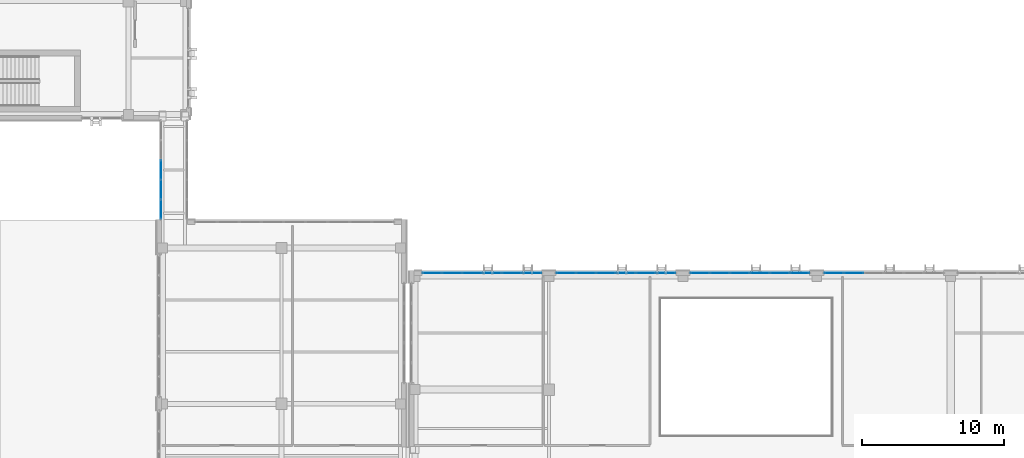
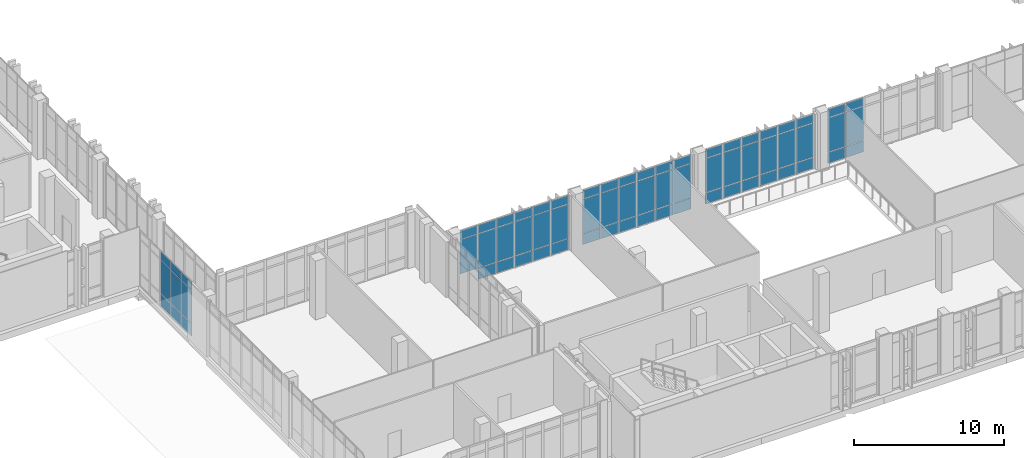
# One storey, part 131 of 189: 68 plates, 5 elements without a shape of their own.
"""IFC4 building model written with IfcOpenShell, lengths in metres."""

from ifc_helpers import new_model, si_unit, direction, frame, origin, origin_2d, place, context, subcontext, project, spatial, rectangle, extrude, material, layer, layer_set, type_object, element, aggregate, save


model = new_model("IFC4")

# Units and contexts
model_context = context("Model", 3, precision=1e-05, world=origin(), true_north=direction((0.0, 1.0)))
body_context = subcontext(model_context, "Body", "Model", "MODEL_VIEW")
ifc_project = project(units=[si_unit("LENGTHUNIT", "METRE"), si_unit("AREAUNIT", "SQUARE_METRE"), si_unit("VOLUMEUNIT", "CUBIC_METRE"), si_unit("PLANEANGLEUNIT", "RADIAN"), si_unit("MASSUNIT", "GRAM", prefix="KILO")], contexts=[model_context])

# Site, building, storey
site_placement = place(None, origin())
site = spatial("IfcSite", under=ifc_project, at=site_placement, CompositionType="ELEMENT")
building_placement = place(site_placement, origin())
building = spatial("IfcBuilding", under=site, at=building_placement, Name="Qalavern Law Courts", CompositionType="ELEMENT")
storey_placement = place(building_placement, frame((0.0, 0.0, 5.39990234375)))
storey = spatial("IfcBuildingStorey", under=building, at=storey_placement, Name="L01", CompositionType="ELEMENT", Elevation=5.39990234375)

# Curtain wall, plates
ifc_material_1 = material(Name="Anodised aluminium and insulated glazing", Category="aluminium")
ifc_layer_1 = layer(ifc_material_1, 0.18505859375)
ifc_layer_set_1 = layer_set([ifc_layer_1], Name="Anodised aluminium and insulated glazing")
curtain_wall_type_1 = type_object("IfcCurtainWallType", Name="ENV-CW-HALL", PredefinedType="USERDEFINED", material=ifc_layer_set_1)
curtain_wall_1_placement = place(storey_placement, origin())
curtain_wall_1 = element("IfcCurtainWall", 1, at=curtain_wall_1_placement, inside=storey, type_object=curtain_wall_type_1, Name="V2 unitised curtain wall L01 north 3", ObjectType="UNITISED CURTAIN WALL", PredefinedType="USERDEFINED")
ifc_material_2 = material(Name="Insulated low-E acoustic glazing", Category="glass")
ifc_layer_2 = layer(ifc_material_2, 0.02392578125)
ifc_layer_set_2 = layer_set([ifc_layer_2], Name="Insulated low-E acoustic glazing")
plate_type_1 = type_object("IfcPlateType", Name="ENV-CWP-24", PredefinedType="CURTAIN_PANEL", material=ifc_layer_set_2)
plate_1_placement = place(storey_placement, frame((65.596435546875, 30.237548828125, 0.048095703125), z_axis=(0.0, 0.0, 1.0), x_axis=(-1.0, 0.0, 0.0)))
plate_1 = element("IfcPlate", 2, at=plate_1_placement, type_object=plate_type_1, Name="CW-02 panel 5.1", PredefinedType="CURTAIN_PANEL", context=body_context, shape_type="SweptSolid", body=[
    extrude(rectangle(XDim=1.361083984375, YDim=0.02392578125, at=origin_2d()), origin(), (0.0, 0.0, 1.0), 0.8779296875),
])
plate_2_placement = place(storey_placement, frame((65.596435546875, 30.237548828125, 0.97412109375), z_axis=(0.0, 0.0, 1.0), x_axis=(-1.0, 0.0, 0.0)))
plate_2 = element("IfcPlate", 3, at=plate_2_placement, type_object=plate_type_1, Name="CW-02 panel 5.2", PredefinedType="CURTAIN_PANEL", context=body_context, shape_type="SweptSolid", body=[
    extrude(rectangle(XDim=1.361083984375, YDim=0.02392578125, at=origin_2d()), origin(), (0.0, 0.0, 1.0), 2.761962890625),
])
plate_3_placement = place(storey_placement, frame((65.596435546875, 30.237548828125, 3.7841796875), z_axis=(0.0, 0.0, 1.0), x_axis=(-1.0, 0.0, 0.0)))
plate_3 = element("IfcPlate", 4, at=plate_3_placement, type_object=plate_type_1, Name="CW-02 panel 5.3", PredefinedType="CURTAIN_PANEL", context=body_context, shape_type="SweptSolid", body=[
    extrude(rectangle(XDim=1.361083984375, YDim=0.02392578125, at=origin_2d()), origin(), (0.0, 0.0, 1.0), 0.677978515625),
])
plate_4_placement = place(storey_placement, frame((64.199462890625, 30.237548828125, 0.048095703125), z_axis=(0.0, 0.0, 1.0), x_axis=(-1.0, 0.0, 0.0)))
plate_4 = element("IfcPlate", 5, at=plate_4_placement, type_object=plate_type_1, Name="CW-02 panel 6.1", PredefinedType="CURTAIN_PANEL", context=body_context, shape_type="SweptSolid", body=[
    extrude(rectangle(XDim=1.3369140625, YDim=0.02392578125, at=origin_2d()), origin(), (0.0, 0.0, 1.0), 0.8779296875),
])
plate_5_placement = place(storey_placement, frame((64.199462890625, 30.237548828125, 0.97412109375), z_axis=(0.0, 0.0, 1.0), x_axis=(-1.0, 0.0, 0.0)))
plate_5 = element("IfcPlate", 6, at=plate_5_placement, type_object=plate_type_1, Name="CW-02 panel 6.2", PredefinedType="CURTAIN_PANEL", context=body_context, shape_type="SweptSolid", body=[
    extrude(rectangle(XDim=1.3369140625, YDim=0.02392578125, at=origin_2d()), origin(), (0.0, 0.0, 1.0), 2.761962890625),
])
plate_6_placement = place(storey_placement, frame((64.199462890625, 30.237548828125, 3.7841796875), z_axis=(0.0, 0.0, 1.0), x_axis=(-1.0, 0.0, 0.0)))
plate_6 = element("IfcPlate", 7, at=plate_6_placement, type_object=plate_type_1, Name="CW-02 panel 6.3", PredefinedType="CURTAIN_PANEL", context=body_context, shape_type="SweptSolid", body=[
    extrude(rectangle(XDim=1.3369140625, YDim=0.02392578125, at=origin_2d()), origin(), (0.0, 0.0, 1.0), 0.677978515625),
])
aggregate(curtain_wall_1, [plate_1, plate_2, plate_3, plate_4, plate_5, plate_6])

curtain_wall_2_placement = place(storey_placement, origin())
curtain_wall_2 = element("IfcCurtainWall", 8, at=curtain_wall_2_placement, inside=storey, type_object=curtain_wall_type_1, Name="V2 unitised curtain wall L01 north 4", ObjectType="UNITISED CURTAIN WALL", PredefinedType="USERDEFINED")
ifc_layer_3 = layer(ifc_material_2, 0.028076171875)
ifc_layer_set_3 = layer_set([ifc_layer_3], Name="Insulated low-E acoustic glazing")
plate_type_2 = type_object("IfcPlateType", Name="ENV-CWP-28", PredefinedType="CURTAIN_PANEL", material=ifc_layer_set_3)
plate_7_placement = place(storey_placement, frame((61.766357421875, 30.237548828125, 0.048095703125), z_axis=(0.0, 0.0, 1.0), x_axis=(-1.0, 0.0, 0.0)))
plate_7 = element("IfcPlate", 9, at=plate_7_placement, type_object=plate_type_2, Name="CW-02 panel 1.1", PredefinedType="CURTAIN_PANEL", context=body_context, shape_type="SweptSolid", body=[
    extrude(rectangle(XDim=1.337158203125, YDim=0.028076171875, at=origin_2d()), origin(), (0.0, 0.0, 1.0), 0.8779296875),
])
plate_8_placement = place(storey_placement, frame((61.766357421875, 30.237548828125, 0.97412109375), z_axis=(0.0, 0.0, 1.0), x_axis=(-1.0, 0.0, 0.0)))
plate_8 = element("IfcPlate", 10, at=plate_8_placement, type_object=plate_type_2, Name="CW-02 panel 1.2", PredefinedType="CURTAIN_PANEL", context=body_context, shape_type="SweptSolid", body=[
    extrude(rectangle(XDim=1.337158203125, YDim=0.028076171875, at=origin_2d()), origin(), (0.0, 0.0, 1.0), 2.761962890625),
])
plate_9_placement = place(storey_placement, frame((61.766357421875, 30.237548828125, 3.7841796875), z_axis=(0.0, 0.0, 1.0), x_axis=(-1.0, 0.0, 0.0)))
plate_9 = element("IfcPlate", 11, at=plate_9_placement, type_object=plate_type_2, Name="CW-02 panel 1.3", PredefinedType="CURTAIN_PANEL", context=body_context, shape_type="SweptSolid", body=[
    extrude(rectangle(XDim=1.337158203125, YDim=0.028076171875, at=origin_2d()), origin(), (0.0, 0.0, 1.0), 0.677978515625),
])
plate_10_placement = place(storey_placement, frame((60.369384765625, 30.237548828125, 0.048095703125), z_axis=(0.0, 0.0, 1.0), x_axis=(-1.0, 0.0, 0.0)))
plate_10 = element("IfcPlate", 12, at=plate_10_placement, type_object=plate_type_2, Name="CW-02 panel 2.1", PredefinedType="CURTAIN_PANEL", context=body_context, shape_type="SweptSolid", body=[
    extrude(rectangle(XDim=1.361083984375, YDim=0.028076171875, at=origin_2d()), origin(), (0.0, 0.0, 1.0), 0.8779296875),
])
plate_11_placement = place(storey_placement, frame((60.369384765625, 30.237548828125, 0.97412109375), z_axis=(0.0, 0.0, 1.0), x_axis=(-1.0, 0.0, 0.0)))
plate_11 = element("IfcPlate", 13, at=plate_11_placement, type_object=plate_type_2, Name="CW-02 panel 2.2", PredefinedType="CURTAIN_PANEL", context=body_context, shape_type="SweptSolid", body=[
    extrude(rectangle(XDim=1.361083984375, YDim=0.028076171875, at=origin_2d()), origin(), (0.0, 0.0, 1.0), 2.761962890625),
])
plate_12_placement = place(storey_placement, frame((60.369384765625, 30.237548828125, 3.7841796875), z_axis=(0.0, 0.0, 1.0), x_axis=(-1.0, 0.0, 0.0)))
plate_12 = element("IfcPlate", 14, at=plate_12_placement, type_object=plate_type_2, Name="CW-02 panel 2.3", PredefinedType="CURTAIN_PANEL", context=body_context, shape_type="SweptSolid", body=[
    extrude(rectangle(XDim=1.361083984375, YDim=0.028076171875, at=origin_2d()), origin(), (0.0, 0.0, 1.0), 0.677978515625),
])
plate_13_placement = place(storey_placement, frame((58.960205078125, 30.237548828125, 0.048095703125), z_axis=(0.0, 0.0, 1.0), x_axis=(-1.0, 0.0, 0.0)))
plate_13 = element("IfcPlate", 15, at=plate_13_placement, type_object=plate_type_2, Name="CW-02 panel 3.1", PredefinedType="CURTAIN_PANEL", context=body_context, shape_type="SweptSolid", body=[
    extrude(rectangle(XDim=1.361083984375, YDim=0.028076171875, at=origin_2d()), origin(), (0.0, 0.0, 1.0), 0.8779296875),
])
plate_14_placement = place(storey_placement, frame((58.960205078125, 30.237548828125, 0.97412109375), z_axis=(0.0, 0.0, 1.0), x_axis=(-1.0, 0.0, 0.0)))
plate_14 = element("IfcPlate", 16, at=plate_14_placement, type_object=plate_type_2, Name="CW-02 panel 3.2", PredefinedType="CURTAIN_PANEL", context=body_context, shape_type="SweptSolid", body=[
    extrude(rectangle(XDim=1.361083984375, YDim=0.028076171875, at=origin_2d()), origin(), (0.0, 0.0, 1.0), 2.761962890625),
])
plate_15_placement = place(storey_placement, frame((58.960205078125, 30.237548828125, 3.7841796875), z_axis=(0.0, 0.0, 1.0), x_axis=(-1.0, 0.0, 0.0)))
plate_15 = element("IfcPlate", 17, at=plate_15_placement, type_object=plate_type_2, Name="CW-02 panel 3.3", PredefinedType="CURTAIN_PANEL", context=body_context, shape_type="SweptSolid", body=[
    extrude(rectangle(XDim=1.361083984375, YDim=0.028076171875, at=origin_2d()), origin(), (0.0, 0.0, 1.0), 0.677978515625),
])
plate_16_placement = place(storey_placement, frame((57.55126953125, 30.237548828125, 0.048095703125), z_axis=(0.0, 0.0, 1.0), x_axis=(-1.0, 0.0, 0.0)))
plate_16 = element("IfcPlate", 18, at=plate_16_placement, type_object=plate_type_2, Name="CW-02 panel 4.1", PredefinedType="CURTAIN_PANEL", context=body_context, shape_type="SweptSolid", body=[
    extrude(rectangle(XDim=1.361083984375, YDim=0.028076171875, at=origin_2d()), origin(), (0.0, 0.0, 1.0), 0.8779296875),
])
plate_17_placement = place(storey_placement, frame((57.55126953125, 30.237548828125, 0.97412109375), z_axis=(0.0, 0.0, 1.0), x_axis=(-1.0, 0.0, 0.0)))
plate_17 = element("IfcPlate", 19, at=plate_17_placement, type_object=plate_type_2, Name="CW-02 panel 4.2", PredefinedType="CURTAIN_PANEL", context=body_context, shape_type="SweptSolid", body=[
    extrude(rectangle(XDim=1.361083984375, YDim=0.028076171875, at=origin_2d()), origin(), (0.0, 0.0, 1.0), 2.761962890625),
])
plate_18_placement = place(storey_placement, frame((57.55126953125, 30.237548828125, 3.7841796875), z_axis=(0.0, 0.0, 1.0), x_axis=(-1.0, 0.0, 0.0)))
plate_18 = element("IfcPlate", 20, at=plate_18_placement, type_object=plate_type_2, Name="CW-02 panel 4.3", PredefinedType="CURTAIN_PANEL", context=body_context, shape_type="SweptSolid", body=[
    extrude(rectangle(XDim=1.361083984375, YDim=0.028076171875, at=origin_2d()), origin(), (0.0, 0.0, 1.0), 0.677978515625),
])
plate_19_placement = place(storey_placement, frame((56.14208984375, 30.237548828125, 0.048095703125), z_axis=(0.0, 0.0, 1.0), x_axis=(-1.0, 0.0, 0.0)))
plate_19 = element("IfcPlate", 21, at=plate_19_placement, type_object=plate_type_2, Name="CW-02 panel 5.1", PredefinedType="CURTAIN_PANEL", context=body_context, shape_type="SweptSolid", body=[
    extrude(rectangle(XDim=1.361083984375, YDim=0.028076171875, at=origin_2d()), origin(), (0.0, 0.0, 1.0), 0.8779296875),
])
plate_20_placement = place(storey_placement, frame((56.14208984375, 30.237548828125, 0.97412109375), z_axis=(0.0, 0.0, 1.0), x_axis=(-1.0, 0.0, 0.0)))
plate_20 = element("IfcPlate", 22, at=plate_20_placement, type_object=plate_type_2, Name="CW-02 panel 5.2", PredefinedType="CURTAIN_PANEL", context=body_context, shape_type="SweptSolid", body=[
    extrude(rectangle(XDim=1.361083984375, YDim=0.028076171875, at=origin_2d()), origin(), (0.0, 0.0, 1.0), 2.761962890625),
])
plate_21_placement = place(storey_placement, frame((56.14208984375, 30.237548828125, 3.7841796875), z_axis=(0.0, 0.0, 1.0), x_axis=(-1.0, 0.0, 0.0)))
plate_21 = element("IfcPlate", 23, at=plate_21_placement, type_object=plate_type_2, Name="CW-02 panel 5.3", PredefinedType="CURTAIN_PANEL", context=body_context, shape_type="SweptSolid", body=[
    extrude(rectangle(XDim=1.361083984375, YDim=0.028076171875, at=origin_2d()), origin(), (0.0, 0.0, 1.0), 0.677978515625),
])
plate_22_placement = place(storey_placement, frame((54.7451171875, 30.237548828125, 0.048095703125), z_axis=(0.0, 0.0, 1.0), x_axis=(-1.0, 0.0, 0.0)))
plate_22 = element("IfcPlate", 24, at=plate_22_placement, type_object=plate_type_2, Name="CW-02 panel 6.1", PredefinedType="CURTAIN_PANEL", context=body_context, shape_type="SweptSolid", body=[
    extrude(rectangle(XDim=1.337158203125, YDim=0.028076171875, at=origin_2d()), origin(), (0.0, 0.0, 1.0), 0.8779296875),
])
plate_23_placement = place(storey_placement, frame((54.7451171875, 30.237548828125, 0.97412109375), z_axis=(0.0, 0.0, 1.0), x_axis=(-1.0, 0.0, 0.0)))
plate_23 = element("IfcPlate", 25, at=plate_23_placement, type_object=plate_type_2, Name="CW-02 panel 6.2", PredefinedType="CURTAIN_PANEL", context=body_context, shape_type="SweptSolid", body=[
    extrude(rectangle(XDim=1.337158203125, YDim=0.028076171875, at=origin_2d()), origin(), (0.0, 0.0, 1.0), 2.761962890625),
])
plate_24_placement = place(storey_placement, frame((54.7451171875, 30.237548828125, 3.7841796875), z_axis=(0.0, 0.0, 1.0), x_axis=(-1.0, 0.0, 0.0)))
plate_24 = element("IfcPlate", 26, at=plate_24_placement, type_object=plate_type_2, Name="CW-02 panel 6.3", PredefinedType="CURTAIN_PANEL", context=body_context, shape_type="SweptSolid", body=[
    extrude(rectangle(XDim=1.337158203125, YDim=0.028076171875, at=origin_2d()), origin(), (0.0, 0.0, 1.0), 0.677978515625),
])
aggregate(curtain_wall_2, [plate_7, plate_8, plate_9, plate_10, plate_11, plate_12, plate_13, plate_14, plate_15, plate_16, plate_17, plate_18, plate_19, plate_20, plate_21, plate_22, plate_23, plate_24])

curtain_wall_3_placement = place(storey_placement, origin())
curtain_wall_3 = element("IfcCurtainWall", 27, at=curtain_wall_3_placement, inside=storey, type_object=curtain_wall_type_1, Name="V2 unitised curtain wall L01 north 5", ObjectType="UNITISED CURTAIN WALL", PredefinedType="USERDEFINED")
ifc_layer_4 = layer(ifc_material_2, 0.031982421875)
ifc_layer_set_4 = layer_set([ifc_layer_4], Name="Insulated low-E acoustic glazing")
plate_type_3 = type_object("IfcPlateType", Name="ENV-CWP-32", PredefinedType="CURTAIN_PANEL", material=ifc_layer_set_4)
plate_25_placement = place(storey_placement, frame((52.31201171875, 30.237548828125, 0.048095703125), z_axis=(0.0, 0.0, 1.0), x_axis=(-1.0, 0.0, 0.0)))
plate_25 = element("IfcPlate", 28, at=plate_25_placement, type_object=plate_type_3, Name="CW-02 panel 1.1", PredefinedType="CURTAIN_PANEL", context=body_context, shape_type="SweptSolid", body=[
    extrude(rectangle(XDim=1.337158203125, YDim=0.031982421875, at=origin_2d()), origin(), (0.0, 0.0, 1.0), 0.8779296875),
])
plate_26_placement = place(storey_placement, frame((52.31201171875, 30.237548828125, 0.97412109375), z_axis=(0.0, 0.0, 1.0), x_axis=(-1.0, 0.0, 0.0)))
plate_26 = element("IfcPlate", 29, at=plate_26_placement, type_object=plate_type_3, Name="CW-02 panel 1.2", PredefinedType="CURTAIN_PANEL", context=body_context, shape_type="SweptSolid", body=[
    extrude(rectangle(XDim=1.337158203125, YDim=0.031982421875, at=origin_2d()), origin(), (0.0, 0.0, 1.0), 2.761962890625),
])
plate_27_placement = place(storey_placement, frame((52.31201171875, 30.237548828125, 3.7841796875), z_axis=(0.0, 0.0, 1.0), x_axis=(-1.0, 0.0, 0.0)))
plate_27 = element("IfcPlate", 30, at=plate_27_placement, type_object=plate_type_3, Name="CW-02 panel 1.3", PredefinedType="CURTAIN_PANEL", context=body_context, shape_type="SweptSolid", body=[
    extrude(rectangle(XDim=1.337158203125, YDim=0.031982421875, at=origin_2d()), origin(), (0.0, 0.0, 1.0), 0.677978515625),
])
plate_28_placement = place(storey_placement, frame((50.9150390625, 30.237548828125, 0.048095703125), z_axis=(0.0, 0.0, 1.0), x_axis=(-1.0, 0.0, 0.0)))
plate_28 = element("IfcPlate", 31, at=plate_28_placement, type_object=plate_type_3, Name="CW-02 panel 2.1", PredefinedType="CURTAIN_PANEL", context=body_context, shape_type="SweptSolid", body=[
    extrude(rectangle(XDim=1.361083984375, YDim=0.031982421875, at=origin_2d()), origin(), (0.0, 0.0, 1.0), 0.8779296875),
])
plate_29_placement = place(storey_placement, frame((50.9150390625, 30.237548828125, 0.97412109375), z_axis=(0.0, 0.0, 1.0), x_axis=(-1.0, 0.0, 0.0)))
plate_29 = element("IfcPlate", 32, at=plate_29_placement, type_object=plate_type_3, Name="CW-02 panel 2.2", PredefinedType="CURTAIN_PANEL", context=body_context, shape_type="SweptSolid", body=[
    extrude(rectangle(XDim=1.361083984375, YDim=0.031982421875, at=origin_2d()), origin(), (0.0, 0.0, 1.0), 2.761962890625),
])
plate_30_placement = place(storey_placement, frame((50.9150390625, 30.237548828125, 3.7841796875), z_axis=(0.0, 0.0, 1.0), x_axis=(-1.0, 0.0, 0.0)))
plate_30 = element("IfcPlate", 33, at=plate_30_placement, type_object=plate_type_3, Name="CW-02 panel 2.3", PredefinedType="CURTAIN_PANEL", context=body_context, shape_type="SweptSolid", body=[
    extrude(rectangle(XDim=1.361083984375, YDim=0.031982421875, at=origin_2d()), origin(), (0.0, 0.0, 1.0), 0.677978515625),
])
plate_31_placement = place(storey_placement, frame((49.505859375, 30.237548828125, 0.048095703125), z_axis=(0.0, 0.0, 1.0), x_axis=(-1.0, 0.0, 0.0)))
plate_31 = element("IfcPlate", 34, at=plate_31_placement, type_object=plate_type_3, Name="CW-02 panel 3.1", PredefinedType="CURTAIN_PANEL", context=body_context, shape_type="SweptSolid", body=[
    extrude(rectangle(XDim=1.361083984375, YDim=0.031982421875, at=origin_2d()), origin(), (0.0, 0.0, 1.0), 0.8779296875),
])
plate_32_placement = place(storey_placement, frame((49.505859375, 30.237548828125, 0.97412109375), z_axis=(0.0, 0.0, 1.0), x_axis=(-1.0, 0.0, 0.0)))
plate_32 = element("IfcPlate", 35, at=plate_32_placement, type_object=plate_type_3, Name="CW-02 panel 3.2", PredefinedType="CURTAIN_PANEL", context=body_context, shape_type="SweptSolid", body=[
    extrude(rectangle(XDim=1.361083984375, YDim=0.031982421875, at=origin_2d()), origin(), (0.0, 0.0, 1.0), 2.761962890625),
])
plate_33_placement = place(storey_placement, frame((49.505859375, 30.237548828125, 3.7841796875), z_axis=(0.0, 0.0, 1.0), x_axis=(-1.0, 0.0, 0.0)))
plate_33 = element("IfcPlate", 36, at=plate_33_placement, type_object=plate_type_3, Name="CW-02 panel 3.3", PredefinedType="CURTAIN_PANEL", context=body_context, shape_type="SweptSolid", body=[
    extrude(rectangle(XDim=1.361083984375, YDim=0.031982421875, at=origin_2d()), origin(), (0.0, 0.0, 1.0), 0.677978515625),
])
plate_34_placement = place(storey_placement, frame((48.096923828125, 30.237548828125, 0.048095703125), z_axis=(0.0, 0.0, 1.0), x_axis=(-1.0, 0.0, 0.0)))
plate_34 = element("IfcPlate", 37, at=plate_34_placement, type_object=plate_type_3, Name="CW-02 panel 4.1", PredefinedType="CURTAIN_PANEL", context=body_context, shape_type="SweptSolid", body=[
    extrude(rectangle(XDim=1.361083984375, YDim=0.031982421875, at=origin_2d()), origin(), (0.0, 0.0, 1.0), 0.8779296875),
])
plate_35_placement = place(storey_placement, frame((48.096923828125, 30.237548828125, 0.97412109375), z_axis=(0.0, 0.0, 1.0), x_axis=(-1.0, 0.0, 0.0)))
plate_35 = element("IfcPlate", 38, at=plate_35_placement, type_object=plate_type_3, Name="CW-02 panel 4.2", PredefinedType="CURTAIN_PANEL", context=body_context, shape_type="SweptSolid", body=[
    extrude(rectangle(XDim=1.361083984375, YDim=0.031982421875, at=origin_2d()), origin(), (0.0, 0.0, 1.0), 2.761962890625),
])
plate_36_placement = place(storey_placement, frame((48.096923828125, 30.237548828125, 3.7841796875), z_axis=(0.0, 0.0, 1.0), x_axis=(-1.0, 0.0, 0.0)))
plate_36 = element("IfcPlate", 39, at=plate_36_placement, type_object=plate_type_3, Name="CW-02 panel 4.3", PredefinedType="CURTAIN_PANEL", context=body_context, shape_type="SweptSolid", body=[
    extrude(rectangle(XDim=1.361083984375, YDim=0.031982421875, at=origin_2d()), origin(), (0.0, 0.0, 1.0), 0.677978515625),
])
plate_37_placement = place(storey_placement, frame((46.68798828125, 30.237548828125, 0.048095703125), z_axis=(0.0, 0.0, 1.0), x_axis=(-1.0, 0.0, 0.0)))
plate_37 = element("IfcPlate", 40, at=plate_37_placement, type_object=plate_type_3, Name="CW-02 panel 5.1", PredefinedType="CURTAIN_PANEL", context=body_context, shape_type="SweptSolid", body=[
    extrude(rectangle(XDim=1.361083984375, YDim=0.031982421875, at=origin_2d()), origin(), (0.0, 0.0, 1.0), 0.8779296875),
])
plate_38_placement = place(storey_placement, frame((46.68798828125, 30.237548828125, 0.97412109375), z_axis=(0.0, 0.0, 1.0), x_axis=(-1.0, 0.0, 0.0)))
plate_38 = element("IfcPlate", 41, at=plate_38_placement, type_object=plate_type_3, Name="CW-02 panel 5.2", PredefinedType="CURTAIN_PANEL", context=body_context, shape_type="SweptSolid", body=[
    extrude(rectangle(XDim=1.361083984375, YDim=0.031982421875, at=origin_2d()), origin(), (0.0, 0.0, 1.0), 2.761962890625),
])
plate_39_placement = place(storey_placement, frame((46.68798828125, 30.237548828125, 3.7841796875), z_axis=(0.0, 0.0, 1.0), x_axis=(-1.0, 0.0, 0.0)))
plate_39 = element("IfcPlate", 42, at=plate_39_placement, type_object=plate_type_3, Name="CW-02 panel 5.3", PredefinedType="CURTAIN_PANEL", context=body_context, shape_type="SweptSolid", body=[
    extrude(rectangle(XDim=1.361083984375, YDim=0.031982421875, at=origin_2d()), origin(), (0.0, 0.0, 1.0), 0.677978515625),
])
plate_40_placement = place(storey_placement, frame((45.290771484375, 30.237548828125, 0.048095703125), z_axis=(0.0, 0.0, 1.0), x_axis=(-1.0, 0.0, 0.0)))
plate_40 = element("IfcPlate", 43, at=plate_40_placement, type_object=plate_type_3, Name="CW-02 panel 6.1", PredefinedType="CURTAIN_PANEL", context=body_context, shape_type="SweptSolid", body=[
    extrude(rectangle(XDim=1.337158203125, YDim=0.031982421875, at=origin_2d()), origin(), (0.0, 0.0, 1.0), 0.8779296875),
])
plate_41_placement = place(storey_placement, frame((45.290771484375, 30.237548828125, 0.97412109375), z_axis=(0.0, 0.0, 1.0), x_axis=(-1.0, 0.0, 0.0)))
plate_41 = element("IfcPlate", 44, at=plate_41_placement, type_object=plate_type_3, Name="CW-02 panel 6.2", PredefinedType="CURTAIN_PANEL", context=body_context, shape_type="SweptSolid", body=[
    extrude(rectangle(XDim=1.337158203125, YDim=0.031982421875, at=origin_2d()), origin(), (0.0, 0.0, 1.0), 2.761962890625),
])
plate_42_placement = place(storey_placement, frame((45.290771484375, 30.237548828125, 3.7841796875), z_axis=(0.0, 0.0, 1.0), x_axis=(-1.0, 0.0, 0.0)))
plate_42 = element("IfcPlate", 45, at=plate_42_placement, type_object=plate_type_3, Name="CW-02 panel 6.3", PredefinedType="CURTAIN_PANEL", context=body_context, shape_type="SweptSolid", body=[
    extrude(rectangle(XDim=1.337158203125, YDim=0.031982421875, at=origin_2d()), origin(), (0.0, 0.0, 1.0), 0.677978515625),
])
aggregate(curtain_wall_3, [plate_25, plate_26, plate_27, plate_28, plate_29, plate_30, plate_31, plate_32, plate_33, plate_34, plate_35, plate_36, plate_37, plate_38, plate_39, plate_40, plate_41, plate_42])

ifc_layer_5 = layer(ifc_material_1, 0.14990234375)
ifc_layer_set_5 = layer_set([ifc_layer_5], Name="Anodised aluminium and insulated glazing")
curtain_wall_type_2 = type_object("IfcCurtainWallType", Name="ENV-CW-BRG", PredefinedType="USERDEFINED", material=ifc_layer_set_5)
curtain_wall_4_placement = place(storey_placement, origin())
curtain_wall_4 = element("IfcCurtainWall", 46, at=curtain_wall_4_placement, inside=storey, type_object=curtain_wall_type_2, Name="Bridge BR-V1-V3 glazed curtain wall L01-1", ObjectType="UNITISED CURTAIN WALL", PredefinedType="USERDEFINED")
plate_43_placement = place(storey_placement, frame((16.675048828125, 37.510009765625, 0.048095703125), z_axis=(0.0, 0.0, 1.0), x_axis=(0.0, -1.0, 0.0)))
plate_43 = element("IfcPlate", 47, at=plate_43_placement, type_object=plate_type_3, Name="CW-06 panel 3.1", PredefinedType="CURTAIN_PANEL", context=body_context, shape_type="SweptSolid", body=[
    extrude(rectangle(XDim=1.347900390625, YDim=0.031982421875, at=origin_2d()), origin(), (0.0, 0.0, 1.0), 0.97802734375),
])
plate_44_placement = place(storey_placement, frame((16.675048828125, 37.510009765625, 1.07421875), z_axis=(0.0, 0.0, 1.0), x_axis=(0.0, -1.0, 0.0)))
plate_44 = element("IfcPlate", 48, at=plate_44_placement, type_object=plate_type_3, Name="CW-06 panel 3.2", PredefinedType="CURTAIN_PANEL", context=body_context, shape_type="SweptSolid", body=[
    extrude(rectangle(XDim=1.347900390625, YDim=0.031982421875, at=origin_2d()), origin(), (0.0, 0.0, 1.0), 2.7119140625),
])
plate_45_placement = place(storey_placement, frame((16.675048828125, 37.510009765625, 3.834228515625), z_axis=(0.0, 0.0, 1.0), x_axis=(0.0, -1.0, 0.0)))
plate_45 = element("IfcPlate", 49, at=plate_45_placement, type_object=plate_type_3, Name="CW-06 panel 3.3", PredefinedType="CURTAIN_PANEL", context=body_context, shape_type="SweptSolid", body=[
    extrude(rectangle(XDim=1.347900390625, YDim=0.031982421875, at=origin_2d()), origin(), (0.0, 0.0, 1.0), 0.6279296875),
])
plate_46_placement = place(storey_placement, frame((16.675048828125, 36.114013671875, 0.048095703125), z_axis=(0.0, 0.0, 1.0), x_axis=(0.0, -1.0, 0.0)))
plate_46 = element("IfcPlate", 50, at=plate_46_placement, type_object=plate_type_3, Name="CW-06 panel 4.1", PredefinedType="CURTAIN_PANEL", context=body_context, shape_type="SweptSolid", body=[
    extrude(rectangle(XDim=1.347900390625, YDim=0.031982421875, at=origin_2d()), origin(), (0.0, 0.0, 1.0), 0.97802734375),
])
plate_47_placement = place(storey_placement, frame((16.675048828125, 36.114013671875, 1.07421875), z_axis=(0.0, 0.0, 1.0), x_axis=(0.0, -1.0, 0.0)))
plate_47 = element("IfcPlate", 51, at=plate_47_placement, type_object=plate_type_3, Name="CW-06 panel 4.2", PredefinedType="CURTAIN_PANEL", context=body_context, shape_type="SweptSolid", body=[
    extrude(rectangle(XDim=1.347900390625, YDim=0.031982421875, at=origin_2d()), origin(), (0.0, 0.0, 1.0), 2.7119140625),
])
plate_48_placement = place(storey_placement, frame((16.675048828125, 36.114013671875, 3.834228515625), z_axis=(0.0, 0.0, 1.0), x_axis=(0.0, -1.0, 0.0)))
plate_48 = element("IfcPlate", 52, at=plate_48_placement, type_object=plate_type_3, Name="CW-06 panel 4.3", PredefinedType="CURTAIN_PANEL", context=body_context, shape_type="SweptSolid", body=[
    extrude(rectangle(XDim=1.347900390625, YDim=0.031982421875, at=origin_2d()), origin(), (0.0, 0.0, 1.0), 0.6279296875),
])
plate_49_placement = place(storey_placement, frame((16.675048828125, 34.72998046875, 0.048095703125), z_axis=(0.0, 0.0, 1.0), x_axis=(0.0, -1.0, 0.0)))
plate_49 = element("IfcPlate", 53, at=plate_49_placement, type_object=plate_type_3, Name="CW-06 panel 5.1", PredefinedType="CURTAIN_PANEL", context=body_context, shape_type="SweptSolid", body=[
    extrude(rectangle(XDim=1.323974609375, YDim=0.031982421875, at=origin_2d()), origin(), (0.0, 0.0, 1.0), 0.97802734375),
])
plate_50_placement = place(storey_placement, frame((16.675048828125, 34.72998046875, 1.07421875), z_axis=(0.0, 0.0, 1.0), x_axis=(0.0, -1.0, 0.0)))
plate_50 = element("IfcPlate", 54, at=plate_50_placement, type_object=plate_type_3, Name="CW-06 panel 5.2", PredefinedType="CURTAIN_PANEL", context=body_context, shape_type="SweptSolid", body=[
    extrude(rectangle(XDim=1.323974609375, YDim=0.031982421875, at=origin_2d()), origin(), (0.0, 0.0, 1.0), 2.7119140625),
])
plate_51_placement = place(storey_placement, frame((16.675048828125, 34.72998046875, 3.834228515625), z_axis=(0.0, 0.0, 1.0), x_axis=(0.0, -1.0, 0.0)))
plate_51 = element("IfcPlate", 55, at=plate_51_placement, type_object=plate_type_3, Name="CW-06 panel 5.3", PredefinedType="CURTAIN_PANEL", context=body_context, shape_type="SweptSolid", body=[
    extrude(rectangle(XDim=1.323974609375, YDim=0.031982421875, at=origin_2d()), origin(), (0.0, 0.0, 1.0), 0.6279296875),
])
aggregate(curtain_wall_4, [plate_43, plate_44, plate_45, plate_46, plate_47, plate_48, plate_49, plate_50, plate_51])

curtain_wall_5_placement = place(storey_placement, origin())
curtain_wall_5 = element("IfcCurtainWall", 56, at=curtain_wall_5_placement, inside=storey, type_object=curtain_wall_type_1, Name="V2 unitised curtain wall L01 north 6", ObjectType="UNITISED CURTAIN WALL", PredefinedType="USERDEFINED")
ifc_layer_6 = layer(ifc_material_2, 0.035888671875)
ifc_layer_set_6 = layer_set([ifc_layer_6], Name="Insulated low-E acoustic glazing")
plate_type_4 = type_object("IfcPlateType", Name="ENV-CWP-36", PredefinedType="CURTAIN_PANEL", material=ifc_layer_set_6)
plate_52_placement = place(storey_placement, frame((42.857666015625, 30.237548828125, 0.048095703125), z_axis=(0.0, 0.0, 1.0), x_axis=(-1.0, 0.0, 0.0)))
plate_52 = element("IfcPlate", 57, at=plate_52_placement, type_object=plate_type_4, Name="CW-02 panel 1.1", PredefinedType="CURTAIN_PANEL", context=body_context, shape_type="SweptSolid", body=[
    extrude(rectangle(XDim=1.337158203125, YDim=0.035888671875, at=origin_2d()), origin(), (0.0, 0.0, 1.0), 0.8779296875),
])
plate_53_placement = place(storey_placement, frame((42.857666015625, 30.237548828125, 0.97412109375), z_axis=(0.0, 0.0, 1.0), x_axis=(-1.0, 0.0, 0.0)))
plate_53 = element("IfcPlate", 58, at=plate_53_placement, type_object=plate_type_4, Name="CW-02 panel 1.2", PredefinedType="CURTAIN_PANEL", context=body_context, shape_type="SweptSolid", body=[
    extrude(rectangle(XDim=1.337158203125, YDim=0.035888671875, at=origin_2d()), origin(), (0.0, 0.0, 1.0), 2.761962890625),
])
plate_54_placement = place(storey_placement, frame((42.857666015625, 30.237548828125, 3.7841796875), z_axis=(0.0, 0.0, 1.0), x_axis=(-1.0, 0.0, 0.0)))
plate_54 = element("IfcPlate", 59, at=plate_54_placement, type_object=plate_type_4, Name="CW-02 panel 1.3", PredefinedType="CURTAIN_PANEL", context=body_context, shape_type="SweptSolid", body=[
    extrude(rectangle(XDim=1.337158203125, YDim=0.035888671875, at=origin_2d()), origin(), (0.0, 0.0, 1.0), 0.677978515625),
])
plate_55_placement = place(storey_placement, frame((41.460693359375, 30.237548828125, 0.048095703125), z_axis=(0.0, 0.0, 1.0), x_axis=(-1.0, 0.0, 0.0)))
plate_55 = element("IfcPlate", 60, at=plate_55_placement, type_object=plate_type_4, Name="CW-02 panel 2.1", PredefinedType="CURTAIN_PANEL", context=body_context, shape_type="SweptSolid", body=[
    extrude(rectangle(XDim=1.361083984375, YDim=0.035888671875, at=origin_2d()), origin(), (0.0, 0.0, 1.0), 0.8779296875),
])
plate_56_placement = place(storey_placement, frame((41.460693359375, 30.237548828125, 0.97412109375), z_axis=(0.0, 0.0, 1.0), x_axis=(-1.0, 0.0, 0.0)))
plate_56 = element("IfcPlate", 61, at=plate_56_placement, type_object=plate_type_4, Name="CW-02 panel 2.2", PredefinedType="CURTAIN_PANEL", context=body_context, shape_type="SweptSolid", body=[
    extrude(rectangle(XDim=1.361083984375, YDim=0.035888671875, at=origin_2d()), origin(), (0.0, 0.0, 1.0), 2.761962890625),
])
plate_57_placement = place(storey_placement, frame((41.460693359375, 30.237548828125, 3.7841796875), z_axis=(0.0, 0.0, 1.0), x_axis=(-1.0, 0.0, 0.0)))
plate_57 = element("IfcPlate", 62, at=plate_57_placement, type_object=plate_type_4, Name="CW-02 panel 2.3", PredefinedType="CURTAIN_PANEL", context=body_context, shape_type="SweptSolid", body=[
    extrude(rectangle(XDim=1.361083984375, YDim=0.035888671875, at=origin_2d()), origin(), (0.0, 0.0, 1.0), 0.677978515625),
])
plate_58_placement = place(storey_placement, frame((40.0517578125, 30.237548828125, 0.048095703125), z_axis=(0.0, 0.0, 1.0), x_axis=(-1.0, 0.0, 0.0)))
plate_58 = element("IfcPlate", 63, at=plate_58_placement, type_object=plate_type_4, Name="CW-02 panel 3.1", PredefinedType="CURTAIN_PANEL", context=body_context, shape_type="SweptSolid", body=[
    extrude(rectangle(XDim=1.361083984375, YDim=0.035888671875, at=origin_2d()), origin(), (0.0, 0.0, 1.0), 0.8779296875),
])
plate_59_placement = place(storey_placement, frame((40.0517578125, 30.237548828125, 0.97412109375), z_axis=(0.0, 0.0, 1.0), x_axis=(-1.0, 0.0, 0.0)))
plate_59 = element("IfcPlate", 64, at=plate_59_placement, type_object=plate_type_4, Name="CW-02 panel 3.2", PredefinedType="CURTAIN_PANEL", context=body_context, shape_type="SweptSolid", body=[
    extrude(rectangle(XDim=1.361083984375, YDim=0.035888671875, at=origin_2d()), origin(), (0.0, 0.0, 1.0), 2.761962890625),
])
plate_60_placement = place(storey_placement, frame((40.0517578125, 30.237548828125, 3.7841796875), z_axis=(0.0, 0.0, 1.0), x_axis=(-1.0, 0.0, 0.0)))
plate_60 = element("IfcPlate", 65, at=plate_60_placement, type_object=plate_type_4, Name="CW-02 panel 3.3", PredefinedType="CURTAIN_PANEL", context=body_context, shape_type="SweptSolid", body=[
    extrude(rectangle(XDim=1.361083984375, YDim=0.035888671875, at=origin_2d()), origin(), (0.0, 0.0, 1.0), 0.677978515625),
])
plate_61_placement = place(storey_placement, frame((38.642578125, 30.237548828125, 0.048095703125), z_axis=(0.0, 0.0, 1.0), x_axis=(-1.0, 0.0, 0.0)))
plate_61 = element("IfcPlate", 66, at=plate_61_placement, type_object=plate_type_4, Name="CW-02 panel 4.1", PredefinedType="CURTAIN_PANEL", context=body_context, shape_type="SweptSolid", body=[
    extrude(rectangle(XDim=1.361083984375, YDim=0.035888671875, at=origin_2d()), origin(), (0.0, 0.0, 1.0), 0.8779296875),
])
plate_62_placement = place(storey_placement, frame((38.642578125, 30.237548828125, 0.97412109375), z_axis=(0.0, 0.0, 1.0), x_axis=(-1.0, 0.0, 0.0)))
plate_62 = element("IfcPlate", 67, at=plate_62_placement, type_object=plate_type_4, Name="CW-02 panel 4.2", PredefinedType="CURTAIN_PANEL", context=body_context, shape_type="SweptSolid", body=[
    extrude(rectangle(XDim=1.361083984375, YDim=0.035888671875, at=origin_2d()), origin(), (0.0, 0.0, 1.0), 2.761962890625),
])
plate_63_placement = place(storey_placement, frame((38.642578125, 30.237548828125, 3.7841796875), z_axis=(0.0, 0.0, 1.0), x_axis=(-1.0, 0.0, 0.0)))
plate_63 = element("IfcPlate", 68, at=plate_63_placement, type_object=plate_type_4, Name="CW-02 panel 4.3", PredefinedType="CURTAIN_PANEL", context=body_context, shape_type="SweptSolid", body=[
    extrude(rectangle(XDim=1.361083984375, YDim=0.035888671875, at=origin_2d()), origin(), (0.0, 0.0, 1.0), 0.677978515625),
])
plate_64_placement = place(storey_placement, frame((37.233642578125, 30.237548828125, 0.048095703125), z_axis=(0.0, 0.0, 1.0), x_axis=(-1.0, 0.0, 0.0)))
plate_64 = element("IfcPlate", 69, at=plate_64_placement, type_object=plate_type_4, Name="CW-02 panel 5.1", PredefinedType="CURTAIN_PANEL", context=body_context, shape_type="SweptSolid", body=[
    extrude(rectangle(XDim=1.361083984375, YDim=0.035888671875, at=origin_2d()), origin(), (0.0, 0.0, 1.0), 0.8779296875),
])
plate_65_placement = place(storey_placement, frame((37.233642578125, 30.237548828125, 0.97412109375), z_axis=(0.0, 0.0, 1.0), x_axis=(-1.0, 0.0, 0.0)))
plate_65 = element("IfcPlate", 70, at=plate_65_placement, type_object=plate_type_4, Name="CW-02 panel 5.2", PredefinedType="CURTAIN_PANEL", context=body_context, shape_type="SweptSolid", body=[
    extrude(rectangle(XDim=1.361083984375, YDim=0.035888671875, at=origin_2d()), origin(), (0.0, 0.0, 1.0), 2.761962890625),
])
plate_66_placement = place(storey_placement, frame((37.233642578125, 30.237548828125, 3.7841796875), z_axis=(0.0, 0.0, 1.0), x_axis=(-1.0, 0.0, 0.0)))
plate_66 = element("IfcPlate", 71, at=plate_66_placement, type_object=plate_type_4, Name="CW-02 panel 5.3", PredefinedType="CURTAIN_PANEL", context=body_context, shape_type="SweptSolid", body=[
    extrude(rectangle(XDim=1.361083984375, YDim=0.035888671875, at=origin_2d()), origin(), (0.0, 0.0, 1.0), 0.677978515625),
])
plate_67_placement = place(storey_placement, frame((35.83642578125, 30.237548828125, 0.97412109375), z_axis=(0.0, 0.0, 1.0), x_axis=(-1.0, 0.0, 0.0)))
plate_67 = element("IfcPlate", 72, at=plate_67_placement, type_object=plate_type_4, Name="CW-02 panel 6.2", PredefinedType="CURTAIN_PANEL", context=body_context, shape_type="SweptSolid", body=[
    extrude(rectangle(XDim=1.337158203125, YDim=0.035888671875, at=origin_2d()), origin(), (0.0, 0.0, 1.0), 2.761962890625),
])
plate_68_placement = place(storey_placement, frame((35.83642578125, 30.237548828125, 3.7841796875), z_axis=(0.0, 0.0, 1.0), x_axis=(-1.0, 0.0, 0.0)))
plate_68 = element("IfcPlate", 73, at=plate_68_placement, type_object=plate_type_4, Name="CW-02 panel 6.3", PredefinedType="CURTAIN_PANEL", context=body_context, shape_type="SweptSolid", body=[
    extrude(rectangle(XDim=1.337158203125, YDim=0.035888671875, at=origin_2d()), origin(), (0.0, 0.0, 1.0), 0.677978515625),
])
aggregate(curtain_wall_5, [plate_52, plate_53, plate_54, plate_55, plate_56, plate_57, plate_58, plate_59, plate_60, plate_61, plate_62, plate_63, plate_64, plate_65, plate_66, plate_67, plate_68])

save(model, "model.ifc")
